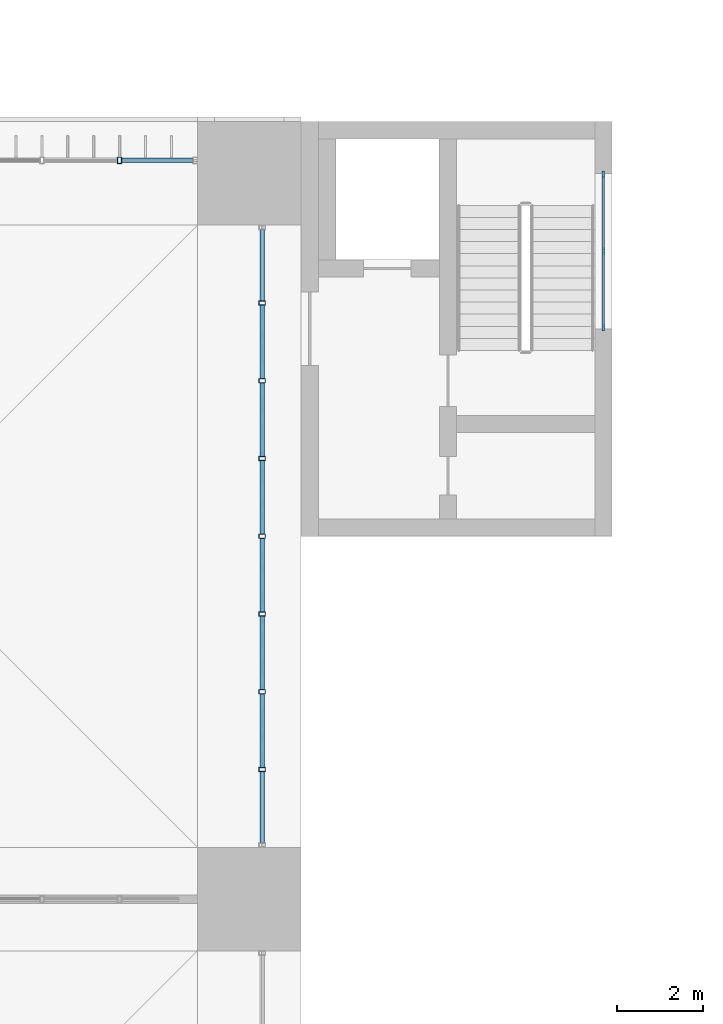
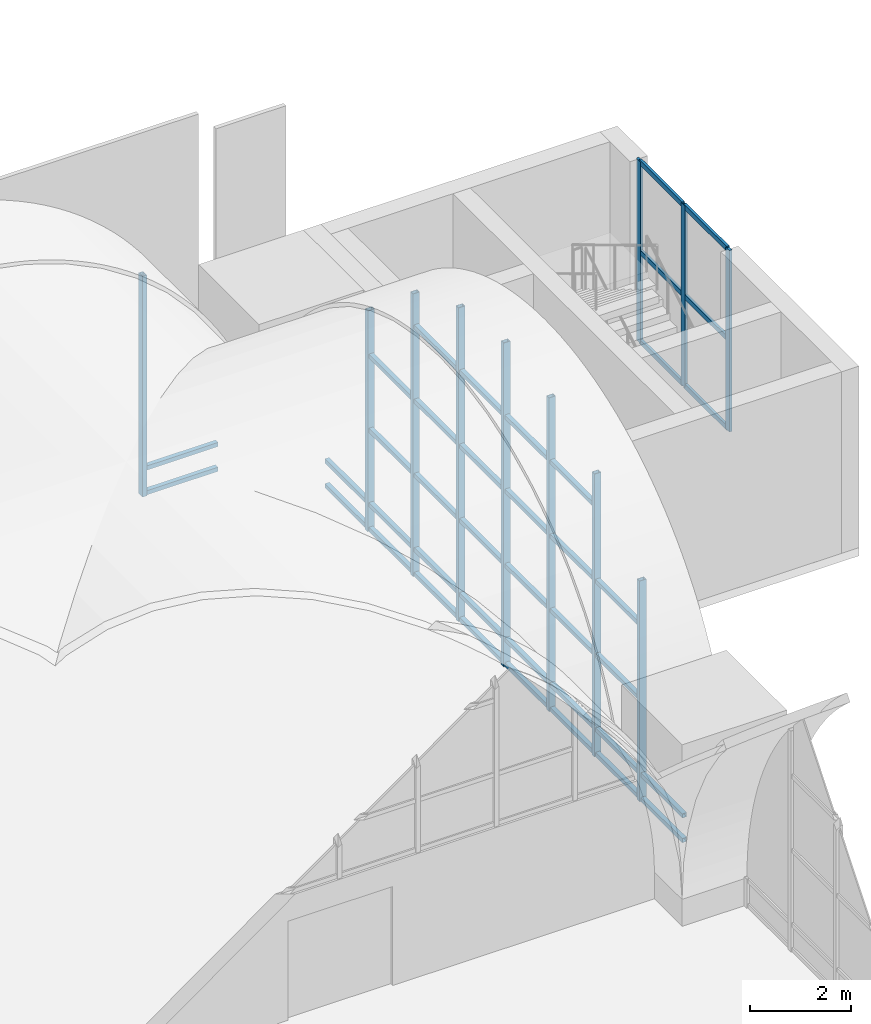
# One storey, part 56 of 169: 51 members, 3 elements without a shape of their own.
"""IFC4 building model written with IfcOpenShell, lengths in metres."""

from ifc_helpers import new_model, si_unit, direction, frame, origin, origin_2d, place, context, subcontext, project, spatial, rectangle, hollow_rectangle, extrude, material, layer, layer_set, material_profile, profile_set, type_object, element, aggregate, save


model = new_model("IFC4")

# Units and contexts
model_context = context("Model", 3, precision=1e-05, world=origin(), true_north=direction((0.0, 1.0)))
body_context = subcontext(model_context, "Body", "Model", "MODEL_VIEW")
ifc_project = project(units=[si_unit("LENGTHUNIT", "METRE"), si_unit("AREAUNIT", "SQUARE_METRE"), si_unit("VOLUMEUNIT", "CUBIC_METRE"), si_unit("PLANEANGLEUNIT", "RADIAN"), si_unit("MASSUNIT", "GRAM", prefix="KILO")], contexts=[model_context])

# Site, building, storey
site_placement = place(None, origin())
site = spatial("IfcSite", under=ifc_project, at=site_placement, CompositionType="ELEMENT")
building_placement = place(site_placement, origin())
building = spatial("IfcBuilding", under=site, at=building_placement, Name="Verrick Yard Athletic Hall", CompositionType="ELEMENT")
storey_placement = place(building_placement, frame((0.0, 0.0, 4.39990234375)))
storey = spatial("IfcBuildingStorey", under=building, at=storey_placement, Name="L01", CompositionType="ELEMENT", Elevation=4.39990234375)

# Curtain wall, members
ifc_material_1 = material(Name="Aluminium 6063-T5", Category="aluminium")
curtain_wall_type_1 = type_object("IfcCurtainWallType", Name="Core glazing strip", PredefinedType="NOTDEFINED", material=ifc_material_1)
curtain_wall_1_placement = place(storey_placement, origin())
curtain_wall_1 = element("IfcCurtainWall", 1, at=curtain_wall_1_placement, inside=storey, type_object=curtain_wall_type_1, Name="CORE-CB4-CW-L01", PredefinedType="NOTDEFINED")
ifc_material_profile_1 = material_profile(ifc_material_1, rectangle(XDim=0.06005859375, YDim=0.159912109375, at=origin_2d()), Name="Core glazing mullion 60x160")
ifc_profile_set_1 = profile_set([ifc_material_profile_1], Name="Aluminium 6063-T5")
member_type_1 = type_object("IfcMemberType", Name="Core glazing mullion 60x160", PredefinedType="MULLION", material=ifc_profile_set_1)
member_1_placement = place(storey_placement, frame((165.800048828125, 49.22998046875, 0.0), z_axis=(0.0, 0.0, 1.0), x_axis=(-1.0, 0.0, 0.0)))
member_1 = element("IfcMember", 2, at=member_1_placement, type_object=member_type_1, Name="CW5 mullion 1", PredefinedType="MULLION", context=body_context, shape_type="SweptSolid", body=[
    extrude(rectangle(XDim=0.06005859375, YDim=0.159912109375, at=origin_2d()), origin(), (0.0, 0.0, 1.0), 4.400146484375),
])
member_2_placement = place(storey_placement, frame((165.800048828125, 51.0, 0.0), z_axis=(0.0, 0.0, 1.0), x_axis=(-1.0, 0.0, 0.0)))
member_2 = element("IfcMember", 3, at=member_2_placement, type_object=member_type_1, Name="CW5 mullion 2", PredefinedType="MULLION", context=body_context, shape_type="SweptSolid", body=[
    extrude(rectangle(XDim=0.06005859375, YDim=0.159912109375, at=origin_2d()), origin(), (0.0, 0.0, 1.0), 4.400146484375),
])
member_3_placement = place(storey_placement, frame((165.800048828125, 52.77001953125, 0.0), z_axis=(0.0, 0.0, 1.0), x_axis=(-1.0, 0.0, 0.0)))
member_3 = element("IfcMember", 4, at=member_3_placement, type_object=member_type_1, Name="CW5 mullion 3", PredefinedType="MULLION", context=body_context, shape_type="SweptSolid", body=[
    extrude(rectangle(XDim=0.06005859375, YDim=0.159912109375, at=origin_2d()), origin(), (0.0, 0.0, 1.0), 4.400146484375),
])
ifc_material_profile_2 = material_profile(ifc_material_1, rectangle(XDim=0.06005859375, YDim=0.1201171875, at=origin_2d()), Name="Core glazing transom 60x120")
ifc_profile_set_2 = profile_set([ifc_material_profile_2], Name="Aluminium 6063-T5")
member_type_2 = type_object("IfcMemberType", Name="Core glazing transom 60x120", PredefinedType="USERDEFINED", material=ifc_profile_set_2)
member_4_placement = place(storey_placement, frame((165.800048828125, 49.260009765625, 0.030029296875), z_axis=(0.0, 1.0, 0.0), x_axis=(-1.0, 0.0, 0.0)))
member_4 = element("IfcMember", 5, at=member_4_placement, type_object=member_type_2, Name="CW5 transom 1.1", ObjectType="TRANSOM", PredefinedType="USERDEFINED", context=body_context, shape_type="SweptSolid", body=[
    extrude(rectangle(XDim=0.06005859375, YDim=0.1201171875, at=origin_2d()), origin(), (0.0, 0.0, 1.0), 1.7099609375),
])
member_5_placement = place(storey_placement, frame((165.800048828125, 49.260009765625, 2.2001953125), z_axis=(0.0, 1.0, 0.0), x_axis=(-1.0, 0.0, 0.0)))
member_5 = element("IfcMember", 6, at=member_5_placement, type_object=member_type_2, Name="CW5 transom 1.2", ObjectType="TRANSOM", PredefinedType="USERDEFINED", context=body_context, shape_type="SweptSolid", body=[
    extrude(rectangle(XDim=0.06005859375, YDim=0.1201171875, at=origin_2d()), origin(), (0.0, 0.0, 1.0), 1.7099609375),
])
member_6_placement = place(storey_placement, frame((165.800048828125, 49.260009765625, 4.3701171875), z_axis=(0.0, 1.0, 0.0), x_axis=(-1.0, 0.0, 0.0)))
member_6 = element("IfcMember", 7, at=member_6_placement, type_object=member_type_2, Name="CW5 transom 1.3", ObjectType="TRANSOM", PredefinedType="USERDEFINED", context=body_context, shape_type="SweptSolid", body=[
    extrude(rectangle(XDim=0.06005859375, YDim=0.1201171875, at=origin_2d()), origin(), (0.0, 0.0, 1.0), 1.7099609375),
])
member_7_placement = place(storey_placement, frame((165.800048828125, 51.030029296875, 0.030029296875), z_axis=(0.0, 1.0, 0.0), x_axis=(-1.0, 0.0, 0.0)))
member_7 = element("IfcMember", 8, at=member_7_placement, type_object=member_type_2, Name="CW5 transom 2.1", ObjectType="TRANSOM", PredefinedType="USERDEFINED", context=body_context, shape_type="SweptSolid", body=[
    extrude(rectangle(XDim=0.06005859375, YDim=0.1201171875, at=origin_2d()), origin(), (0.0, 0.0, 1.0), 1.7099609375),
])
member_8_placement = place(storey_placement, frame((165.800048828125, 51.030029296875, 2.2001953125), z_axis=(0.0, 1.0, 0.0), x_axis=(-1.0, 0.0, 0.0)))
member_8 = element("IfcMember", 9, at=member_8_placement, type_object=member_type_2, Name="CW5 transom 2.2", ObjectType="TRANSOM", PredefinedType="USERDEFINED", context=body_context, shape_type="SweptSolid", body=[
    extrude(rectangle(XDim=0.06005859375, YDim=0.1201171875, at=origin_2d()), origin(), (0.0, 0.0, 1.0), 1.7099609375),
])
member_9_placement = place(storey_placement, frame((165.800048828125, 51.030029296875, 4.3701171875), z_axis=(0.0, 1.0, 0.0), x_axis=(-1.0, 0.0, 0.0)))
member_9 = element("IfcMember", 10, at=member_9_placement, type_object=member_type_2, Name="CW5 transom 2.3", ObjectType="TRANSOM", PredefinedType="USERDEFINED", context=body_context, shape_type="SweptSolid", body=[
    extrude(rectangle(XDim=0.06005859375, YDim=0.1201171875, at=origin_2d()), origin(), (0.0, 0.0, 1.0), 1.7099609375),
])
aggregate(curtain_wall_1, [member_1, member_2, member_3, member_4, member_5, member_6, member_7, member_8, member_9])

# Curtain wall, member
ifc_material_2 = material(Name="Aluminium and glass curtain wall", Category="aluminium")
ifc_layer_1 = layer(ifc_material_2, 0.14990234375)
ifc_layer_set_1 = layer_set([ifc_layer_1], Name="Arcade glazing arch")
curtain_wall_type_2 = type_object("IfcCurtainWallType", Name="Arcade glazing arch", PredefinedType="NOTDEFINED", material=ifc_layer_set_1)
curtain_wall_2_placement = place(storey_placement, origin())
curtain_wall_2 = element("IfcCurtainWall", 11, at=curtain_wall_2_placement, inside=storey, type_object=curtain_wall_type_2, Name="Arcade glazing N7", PredefinedType="NOTDEFINED")
ifc_material_3 = material(Name="Structural steel HSS Class C 350W (CSA G40.20/G40.21)", Category="steel")
ifc_material_profile_3 = material_profile(ifc_material_3, hollow_rectangle(XDim=0.1015625, YDim=0.15234375, WallThickness=0.008056640625, at=origin_2d()), Name="HSS152x102x7.9")
ifc_profile_set_3 = profile_set([ifc_material_profile_3], Name="Structural steel HSS Class C 350W (CSA G40.20/G40.21)")
member_type_3 = type_object("IfcMemberType", Name="Curtain wall mullion HSS152x102x7.9", PredefinedType="MULLION", material=ifc_profile_set_3)
member_10_placement = place(storey_placement, frame((154.60009765625, 53.10009765625, 0.0), z_axis=(0.0, 0.0, 1.0), x_axis=(1.0, 0.0, 0.0)))
member_10 = element("IfcMember", 12, at=member_10_placement, type_object=member_type_3, Name="Arcade glazing N7 mullion 8", PredefinedType="MULLION", context=body_context, shape_type="SweptSolid", body=[
    extrude(hollow_rectangle(XDim=0.1015625, YDim=0.15234375, WallThickness=0.008056640625, at=origin_2d()), origin(), (0.0, 0.0, 1.0), 5.351806640625),
])

# Curtain wall, members
ifc_layer_2 = layer(ifc_material_2, 0.14990234375)
ifc_layer_set_2 = layer_set([ifc_layer_2], Name="East end glazing arch")
curtain_wall_type_3 = type_object("IfcCurtainWallType", Name="East end glazing arch", PredefinedType="NOTDEFINED", material=ifc_layer_set_2)
curtain_wall_3_placement = place(storey_placement, origin())
curtain_wall_3 = element("IfcCurtainWall", 13, at=curtain_wall_3_placement, inside=storey, type_object=curtain_wall_type_3, Name="East end glazing 2", PredefinedType="NOTDEFINED")
member_11_placement = place(storey_placement, frame((157.89990234375, 39.0, 0.0), z_axis=(0.0, 0.0, 1.0), x_axis=(0.0, 1.0, 0.0)))
member_11 = element("IfcMember", 14, at=member_11_placement, type_object=member_type_3, Name="East end glazing 2 mullion 2", PredefinedType="MULLION", context=body_context, shape_type="SweptSolid", body=[
    extrude(hollow_rectangle(XDim=0.1015625, YDim=0.15234375, WallThickness=0.008056640625, at=origin_2d()), origin(), (0.0, 0.0, 1.0), 5.351806640625),
])
member_12_placement = place(storey_placement, frame((157.89990234375, 40.800048828125, 0.0), z_axis=(0.0, 0.0, 1.0), x_axis=(0.0, 1.0, 0.0)))
member_12 = element("IfcMember", 15, at=member_12_placement, type_object=member_type_3, Name="East end glazing 2 mullion 3", PredefinedType="MULLION", context=body_context, shape_type="SweptSolid", body=[
    extrude(hollow_rectangle(XDim=0.1015625, YDim=0.15234375, WallThickness=0.008056640625, at=origin_2d()), origin(), (0.0, 0.0, 1.0), 6.8544921875),
])
member_13_placement = place(storey_placement, frame((157.89990234375, 42.60009765625, 0.0), z_axis=(0.0, 0.0, 1.0), x_axis=(0.0, 1.0, 0.0)))
member_13 = element("IfcMember", 16, at=member_13_placement, type_object=member_type_3, Name="East end glazing 2 mullion 4", PredefinedType="MULLION", context=body_context, shape_type="SweptSolid", body=[
    extrude(hollow_rectangle(XDim=0.1015625, YDim=0.15234375, WallThickness=0.008056640625, at=origin_2d()), origin(), (0.0, 0.0, 1.0), 7.607666015625),
])
member_14_placement = place(storey_placement, frame((157.89990234375, 44.39990234375, 0.0), z_axis=(0.0, 0.0, 1.0), x_axis=(0.0, 1.0, 0.0)))
member_14 = element("IfcMember", 17, at=member_14_placement, type_object=member_type_3, Name="East end glazing 2 mullion 5", PredefinedType="MULLION", context=body_context, shape_type="SweptSolid", body=[
    extrude(hollow_rectangle(XDim=0.1015625, YDim=0.15234375, WallThickness=0.008056640625, at=origin_2d()), origin(), (0.0, 0.0, 1.0), 7.8486328125),
])
member_15_placement = place(storey_placement, frame((157.89990234375, 46.199951171875, 0.0), z_axis=(0.0, 0.0, 1.0), x_axis=(0.0, 1.0, 0.0)))
member_15 = element("IfcMember", 18, at=member_15_placement, type_object=member_type_3, Name="East end glazing 2 mullion 6", PredefinedType="MULLION", context=body_context, shape_type="SweptSolid", body=[
    extrude(hollow_rectangle(XDim=0.1015625, YDim=0.15234375, WallThickness=0.008056640625, at=origin_2d()), origin(), (0.0, 0.0, 1.0), 7.607666015625),
])
member_16_placement = place(storey_placement, frame((157.89990234375, 48.0, 0.0), z_axis=(0.0, 0.0, 1.0), x_axis=(0.0, 1.0, 0.0)))
member_16 = element("IfcMember", 19, at=member_16_placement, type_object=member_type_3, Name="East end glazing 2 mullion 7", PredefinedType="MULLION", context=body_context, shape_type="SweptSolid", body=[
    extrude(hollow_rectangle(XDim=0.1015625, YDim=0.15234375, WallThickness=0.008056640625, at=origin_2d()), origin(), (0.0, 0.0, 1.0), 6.8544921875),
])
member_17_placement = place(storey_placement, frame((157.89990234375, 49.800048828125, 0.0), z_axis=(0.0, 0.0, 1.0), x_axis=(0.0, 1.0, 0.0)))
member_17 = element("IfcMember", 20, at=member_17_placement, type_object=member_type_3, Name="East end glazing 2 mullion 8", PredefinedType="MULLION", context=body_context, shape_type="SweptSolid", body=[
    extrude(hollow_rectangle(XDim=0.1015625, YDim=0.15234375, WallThickness=0.008056640625, at=origin_2d()), origin(), (0.0, 0.0, 1.0), 5.351806640625),
])

# Member
ifc_material_profile_4 = material_profile(ifc_material_3, hollow_rectangle(XDim=0.1015625, YDim=0.1015625, WallThickness=0.00634765625, at=origin_2d()), Name="HSS102x102x6.4")
ifc_profile_set_4 = profile_set([ifc_material_profile_4], Name="Structural steel HSS Class C 350W (CSA G40.20/G40.21)")
member_type_4 = type_object("IfcMemberType", Name="Curtain wall transom HSS102x102x6.4", PredefinedType="USERDEFINED", material=ifc_profile_set_4)
member_18_placement = place(storey_placement, frame((154.65087890625, 53.10009765625, 0.05078125), z_axis=(1.0, 0.0, 0.0), x_axis=(0.0, 1.0, 0.0)))
member_18 = element("IfcMember", 21, at=member_18_placement, type_object=member_type_4, Name="Arcade glazing N7 transom 31", ObjectType="TRANSOM", PredefinedType="USERDEFINED", context=body_context, shape_type="SweptSolid", body=[
    extrude(hollow_rectangle(XDim=0.1015625, YDim=0.1015625, WallThickness=0.00634765625, at=origin_2d()), origin(), (0.0, 0.0, 1.0), 1.64697265625),
])

member_19_placement = place(storey_placement, frame((154.65087890625, 53.10009765625, 0.650146484375), z_axis=(1.0, 0.0, 0.0), x_axis=(0.0, 1.0, 0.0)))
member_19 = element("IfcMember", 22, at=member_19_placement, type_object=member_type_4, Name="Arcade glazing N7 transom 32", ObjectType="TRANSOM", PredefinedType="USERDEFINED", context=body_context, shape_type="SweptSolid", body=[
    extrude(hollow_rectangle(XDim=0.1015625, YDim=0.1015625, WallThickness=0.00634765625, at=origin_2d()), origin(), (0.0, 0.0, 1.0), 1.64697265625),
])

aggregate(curtain_wall_2, [member_10, member_18, member_19])

member_20_placement = place(storey_placement, frame((157.89990234375, 37.302001953125, 0.05078125), z_axis=(0.0, 1.0, 0.0), x_axis=(-1.0, 0.0, 0.0)))
member_20 = element("IfcMember", 23, at=member_20_placement, type_object=member_type_4, Name="East end glazing 2 transom 1", ObjectType="TRANSOM", PredefinedType="USERDEFINED", context=body_context, shape_type="SweptSolid", body=[
    extrude(hollow_rectangle(XDim=0.1015625, YDim=0.1015625, WallThickness=0.00634765625, at=origin_2d()), origin(), (0.0, 0.0, 1.0), 1.647216796875),
])

member_21_placement = place(storey_placement, frame((157.89990234375, 37.302001953125, 0.650146484375), z_axis=(0.0, 1.0, 0.0), x_axis=(-1.0, 0.0, 0.0)))
member_21 = element("IfcMember", 24, at=member_21_placement, type_object=member_type_4, Name="East end glazing 2 transom 2", ObjectType="TRANSOM", PredefinedType="USERDEFINED", context=body_context, shape_type="SweptSolid", body=[
    extrude(hollow_rectangle(XDim=0.1015625, YDim=0.1015625, WallThickness=0.00634765625, at=origin_2d()), origin(), (0.0, 0.0, 1.0), 1.647216796875),
])

member_22_placement = place(storey_placement, frame((157.89990234375, 39.05078125, 0.05078125), z_axis=(0.0, 1.0, 0.0), x_axis=(-1.0, 0.0, 0.0)))
member_22 = element("IfcMember", 25, at=member_22_placement, type_object=member_type_4, Name="East end glazing 2 transom 3", ObjectType="TRANSOM", PredefinedType="USERDEFINED", context=body_context, shape_type="SweptSolid", body=[
    extrude(hollow_rectangle(XDim=0.1015625, YDim=0.1015625, WallThickness=0.00634765625, at=origin_2d()), origin(), (0.0, 0.0, 1.0), 1.698486328125),
])

member_23_placement = place(storey_placement, frame((157.89990234375, 39.05078125, 0.650146484375), z_axis=(0.0, 1.0, 0.0), x_axis=(-1.0, 0.0, 0.0)))
member_23 = element("IfcMember", 26, at=member_23_placement, type_object=member_type_4, Name="East end glazing 2 transom 4", ObjectType="TRANSOM", PredefinedType="USERDEFINED", context=body_context, shape_type="SweptSolid", body=[
    extrude(hollow_rectangle(XDim=0.1015625, YDim=0.1015625, WallThickness=0.00634765625, at=origin_2d()), origin(), (0.0, 0.0, 1.0), 1.698486328125),
])

member_24_placement = place(storey_placement, frame((157.89990234375, 39.05078125, 2.4501953125), z_axis=(0.0, 1.0, 0.0), x_axis=(-1.0, 0.0, 0.0)))
member_24 = element("IfcMember", 27, at=member_24_placement, type_object=member_type_4, Name="East end glazing 2 transom 5", ObjectType="TRANSOM", PredefinedType="USERDEFINED", context=body_context, shape_type="SweptSolid", body=[
    extrude(hollow_rectangle(XDim=0.1015625, YDim=0.1015625, WallThickness=0.00634765625, at=origin_2d()), origin(), (0.0, 0.0, 1.0), 1.698486328125),
])

member_25_placement = place(storey_placement, frame((157.89990234375, 39.05078125, 4.25), z_axis=(0.0, 1.0, 0.0), x_axis=(-1.0, 0.0, 0.0)))
member_25 = element("IfcMember", 28, at=member_25_placement, type_object=member_type_4, Name="East end glazing 2 transom 6", ObjectType="TRANSOM", PredefinedType="USERDEFINED", context=body_context, shape_type="SweptSolid", body=[
    extrude(hollow_rectangle(XDim=0.1015625, YDim=0.1015625, WallThickness=0.00634765625, at=origin_2d()), origin(), (0.0, 0.0, 1.0), 1.698486328125),
])

member_26_placement = place(storey_placement, frame((157.89990234375, 40.850830078125, 0.05078125), z_axis=(0.0, 1.0, 0.0), x_axis=(-1.0, 0.0, 0.0)))
member_26 = element("IfcMember", 29, at=member_26_placement, type_object=member_type_4, Name="East end glazing 2 transom 7", ObjectType="TRANSOM", PredefinedType="USERDEFINED", context=body_context, shape_type="SweptSolid", body=[
    extrude(hollow_rectangle(XDim=0.1015625, YDim=0.1015625, WallThickness=0.00634765625, at=origin_2d()), origin(), (0.0, 0.0, 1.0), 1.698486328125),
])

member_27_placement = place(storey_placement, frame((157.89990234375, 40.850830078125, 0.650146484375), z_axis=(0.0, 1.0, 0.0), x_axis=(-1.0, 0.0, 0.0)))
member_27 = element("IfcMember", 30, at=member_27_placement, type_object=member_type_4, Name="East end glazing 2 transom 8", ObjectType="TRANSOM", PredefinedType="USERDEFINED", context=body_context, shape_type="SweptSolid", body=[
    extrude(hollow_rectangle(XDim=0.1015625, YDim=0.1015625, WallThickness=0.00634765625, at=origin_2d()), origin(), (0.0, 0.0, 1.0), 1.698486328125),
])

member_28_placement = place(storey_placement, frame((157.89990234375, 40.850830078125, 2.4501953125), z_axis=(0.0, 1.0, 0.0), x_axis=(-1.0, 0.0, 0.0)))
member_28 = element("IfcMember", 31, at=member_28_placement, type_object=member_type_4, Name="East end glazing 2 transom 9", ObjectType="TRANSOM", PredefinedType="USERDEFINED", context=body_context, shape_type="SweptSolid", body=[
    extrude(hollow_rectangle(XDim=0.1015625, YDim=0.1015625, WallThickness=0.00634765625, at=origin_2d()), origin(), (0.0, 0.0, 1.0), 1.698486328125),
])

member_29_placement = place(storey_placement, frame((157.89990234375, 40.850830078125, 4.25), z_axis=(0.0, 1.0, 0.0), x_axis=(-1.0, 0.0, 0.0)))
member_29 = element("IfcMember", 32, at=member_29_placement, type_object=member_type_4, Name="East end glazing 2 transom 10", ObjectType="TRANSOM", PredefinedType="USERDEFINED", context=body_context, shape_type="SweptSolid", body=[
    extrude(hollow_rectangle(XDim=0.1015625, YDim=0.1015625, WallThickness=0.00634765625, at=origin_2d()), origin(), (0.0, 0.0, 1.0), 1.698486328125),
])

member_30_placement = place(storey_placement, frame((157.89990234375, 40.850830078125, 6.050048828125), z_axis=(0.0, 1.0, 0.0), x_axis=(-1.0, 0.0, 0.0)))
member_30 = element("IfcMember", 33, at=member_30_placement, type_object=member_type_4, Name="East end glazing 2 transom 11", ObjectType="TRANSOM", PredefinedType="USERDEFINED", context=body_context, shape_type="SweptSolid", body=[
    extrude(hollow_rectangle(XDim=0.1015625, YDim=0.1015625, WallThickness=0.00634765625, at=origin_2d()), origin(), (0.0, 0.0, 1.0), 1.698486328125),
])

member_31_placement = place(storey_placement, frame((157.89990234375, 42.65087890625, 0.05078125), z_axis=(0.0, 1.0, 0.0), x_axis=(-1.0, 0.0, 0.0)))
member_31 = element("IfcMember", 34, at=member_31_placement, type_object=member_type_4, Name="East end glazing 2 transom 12", ObjectType="TRANSOM", PredefinedType="USERDEFINED", context=body_context, shape_type="SweptSolid", body=[
    extrude(hollow_rectangle(XDim=0.1015625, YDim=0.1015625, WallThickness=0.00634765625, at=origin_2d()), origin(), (0.0, 0.0, 1.0), 1.6982421875),
])

member_32_placement = place(storey_placement, frame((157.89990234375, 42.65087890625, 0.650146484375), z_axis=(0.0, 1.0, 0.0), x_axis=(-1.0, 0.0, 0.0)))
member_32 = element("IfcMember", 35, at=member_32_placement, type_object=member_type_4, Name="East end glazing 2 transom 13", ObjectType="TRANSOM", PredefinedType="USERDEFINED", context=body_context, shape_type="SweptSolid", body=[
    extrude(hollow_rectangle(XDim=0.1015625, YDim=0.1015625, WallThickness=0.00634765625, at=origin_2d()), origin(), (0.0, 0.0, 1.0), 1.6982421875),
])

member_33_placement = place(storey_placement, frame((157.89990234375, 42.65087890625, 2.4501953125), z_axis=(0.0, 1.0, 0.0), x_axis=(-1.0, 0.0, 0.0)))
member_33 = element("IfcMember", 36, at=member_33_placement, type_object=member_type_4, Name="East end glazing 2 transom 14", ObjectType="TRANSOM", PredefinedType="USERDEFINED", context=body_context, shape_type="SweptSolid", body=[
    extrude(hollow_rectangle(XDim=0.1015625, YDim=0.1015625, WallThickness=0.00634765625, at=origin_2d()), origin(), (0.0, 0.0, 1.0), 1.6982421875),
])

member_34_placement = place(storey_placement, frame((157.89990234375, 42.65087890625, 4.25), z_axis=(0.0, 1.0, 0.0), x_axis=(-1.0, 0.0, 0.0)))
member_34 = element("IfcMember", 37, at=member_34_placement, type_object=member_type_4, Name="East end glazing 2 transom 15", ObjectType="TRANSOM", PredefinedType="USERDEFINED", context=body_context, shape_type="SweptSolid", body=[
    extrude(hollow_rectangle(XDim=0.1015625, YDim=0.1015625, WallThickness=0.00634765625, at=origin_2d()), origin(), (0.0, 0.0, 1.0), 1.6982421875),
])

member_35_placement = place(storey_placement, frame((157.89990234375, 42.65087890625, 6.050048828125), z_axis=(0.0, 1.0, 0.0), x_axis=(-1.0, 0.0, 0.0)))
member_35 = element("IfcMember", 38, at=member_35_placement, type_object=member_type_4, Name="East end glazing 2 transom 16", ObjectType="TRANSOM", PredefinedType="USERDEFINED", context=body_context, shape_type="SweptSolid", body=[
    extrude(hollow_rectangle(XDim=0.1015625, YDim=0.1015625, WallThickness=0.00634765625, at=origin_2d()), origin(), (0.0, 0.0, 1.0), 1.6982421875),
])

member_36_placement = place(storey_placement, frame((157.89990234375, 44.45068359375, 0.05078125), z_axis=(0.0, 1.0, 0.0), x_axis=(-1.0, 0.0, 0.0)))
member_36 = element("IfcMember", 39, at=member_36_placement, type_object=member_type_4, Name="East end glazing 2 transom 17", ObjectType="TRANSOM", PredefinedType="USERDEFINED", context=body_context, shape_type="SweptSolid", body=[
    extrude(hollow_rectangle(XDim=0.1015625, YDim=0.1015625, WallThickness=0.00634765625, at=origin_2d()), origin(), (0.0, 0.0, 1.0), 1.698486328125),
])

member_37_placement = place(storey_placement, frame((157.89990234375, 44.45068359375, 0.650146484375), z_axis=(0.0, 1.0, 0.0), x_axis=(-1.0, 0.0, 0.0)))
member_37 = element("IfcMember", 40, at=member_37_placement, type_object=member_type_4, Name="East end glazing 2 transom 18", ObjectType="TRANSOM", PredefinedType="USERDEFINED", context=body_context, shape_type="SweptSolid", body=[
    extrude(hollow_rectangle(XDim=0.1015625, YDim=0.1015625, WallThickness=0.00634765625, at=origin_2d()), origin(), (0.0, 0.0, 1.0), 1.698486328125),
])

member_38_placement = place(storey_placement, frame((157.89990234375, 44.45068359375, 2.4501953125), z_axis=(0.0, 1.0, 0.0), x_axis=(-1.0, 0.0, 0.0)))
member_38 = element("IfcMember", 41, at=member_38_placement, type_object=member_type_4, Name="East end glazing 2 transom 19", ObjectType="TRANSOM", PredefinedType="USERDEFINED", context=body_context, shape_type="SweptSolid", body=[
    extrude(hollow_rectangle(XDim=0.1015625, YDim=0.1015625, WallThickness=0.00634765625, at=origin_2d()), origin(), (0.0, 0.0, 1.0), 1.698486328125),
])

member_39_placement = place(storey_placement, frame((157.89990234375, 44.45068359375, 4.25), z_axis=(0.0, 1.0, 0.0), x_axis=(-1.0, 0.0, 0.0)))
member_39 = element("IfcMember", 42, at=member_39_placement, type_object=member_type_4, Name="East end glazing 2 transom 20", ObjectType="TRANSOM", PredefinedType="USERDEFINED", context=body_context, shape_type="SweptSolid", body=[
    extrude(hollow_rectangle(XDim=0.1015625, YDim=0.1015625, WallThickness=0.00634765625, at=origin_2d()), origin(), (0.0, 0.0, 1.0), 1.698486328125),
])

member_40_placement = place(storey_placement, frame((157.89990234375, 44.45068359375, 6.050048828125), z_axis=(0.0, 1.0, 0.0), x_axis=(-1.0, 0.0, 0.0)))
member_40 = element("IfcMember", 43, at=member_40_placement, type_object=member_type_4, Name="East end glazing 2 transom 21", ObjectType="TRANSOM", PredefinedType="USERDEFINED", context=body_context, shape_type="SweptSolid", body=[
    extrude(hollow_rectangle(XDim=0.1015625, YDim=0.1015625, WallThickness=0.00634765625, at=origin_2d()), origin(), (0.0, 0.0, 1.0), 1.698486328125),
])

member_41_placement = place(storey_placement, frame((157.89990234375, 46.250732421875, 0.05078125), z_axis=(0.0, 1.0, 0.0), x_axis=(-1.0, 0.0, 0.0)))
member_41 = element("IfcMember", 44, at=member_41_placement, type_object=member_type_4, Name="East end glazing 2 transom 22", ObjectType="TRANSOM", PredefinedType="USERDEFINED", context=body_context, shape_type="SweptSolid", body=[
    extrude(hollow_rectangle(XDim=0.1015625, YDim=0.1015625, WallThickness=0.00634765625, at=origin_2d()), origin(), (0.0, 0.0, 1.0), 1.698486328125),
])

member_42_placement = place(storey_placement, frame((157.89990234375, 46.250732421875, 0.650146484375), z_axis=(0.0, 1.0, 0.0), x_axis=(-1.0, 0.0, 0.0)))
member_42 = element("IfcMember", 45, at=member_42_placement, type_object=member_type_4, Name="East end glazing 2 transom 23", ObjectType="TRANSOM", PredefinedType="USERDEFINED", context=body_context, shape_type="SweptSolid", body=[
    extrude(hollow_rectangle(XDim=0.1015625, YDim=0.1015625, WallThickness=0.00634765625, at=origin_2d()), origin(), (0.0, 0.0, 1.0), 1.698486328125),
])

member_43_placement = place(storey_placement, frame((157.89990234375, 46.250732421875, 2.4501953125), z_axis=(0.0, 1.0, 0.0), x_axis=(-1.0, 0.0, 0.0)))
member_43 = element("IfcMember", 46, at=member_43_placement, type_object=member_type_4, Name="East end glazing 2 transom 24", ObjectType="TRANSOM", PredefinedType="USERDEFINED", context=body_context, shape_type="SweptSolid", body=[
    extrude(hollow_rectangle(XDim=0.1015625, YDim=0.1015625, WallThickness=0.00634765625, at=origin_2d()), origin(), (0.0, 0.0, 1.0), 1.698486328125),
])

member_44_placement = place(storey_placement, frame((157.89990234375, 46.250732421875, 4.25), z_axis=(0.0, 1.0, 0.0), x_axis=(-1.0, 0.0, 0.0)))
member_44 = element("IfcMember", 47, at=member_44_placement, type_object=member_type_4, Name="East end glazing 2 transom 25", ObjectType="TRANSOM", PredefinedType="USERDEFINED", context=body_context, shape_type="SweptSolid", body=[
    extrude(hollow_rectangle(XDim=0.1015625, YDim=0.1015625, WallThickness=0.00634765625, at=origin_2d()), origin(), (0.0, 0.0, 1.0), 1.698486328125),
])

member_45_placement = place(storey_placement, frame((157.89990234375, 46.250732421875, 6.050048828125), z_axis=(0.0, 1.0, 0.0), x_axis=(-1.0, 0.0, 0.0)))
member_45 = element("IfcMember", 48, at=member_45_placement, type_object=member_type_4, Name="East end glazing 2 transom 26", ObjectType="TRANSOM", PredefinedType="USERDEFINED", context=body_context, shape_type="SweptSolid", body=[
    extrude(hollow_rectangle(XDim=0.1015625, YDim=0.1015625, WallThickness=0.00634765625, at=origin_2d()), origin(), (0.0, 0.0, 1.0), 1.698486328125),
])

member_46_placement = place(storey_placement, frame((157.89990234375, 48.05078125, 0.05078125), z_axis=(0.0, 1.0, 0.0), x_axis=(-1.0, 0.0, 0.0)))
member_46 = element("IfcMember", 49, at=member_46_placement, type_object=member_type_4, Name="East end glazing 2 transom 27", ObjectType="TRANSOM", PredefinedType="USERDEFINED", context=body_context, shape_type="SweptSolid", body=[
    extrude(hollow_rectangle(XDim=0.1015625, YDim=0.1015625, WallThickness=0.00634765625, at=origin_2d()), origin(), (0.0, 0.0, 1.0), 1.698486328125),
])

member_47_placement = place(storey_placement, frame((157.89990234375, 48.05078125, 0.650146484375), z_axis=(0.0, 1.0, 0.0), x_axis=(-1.0, 0.0, 0.0)))
member_47 = element("IfcMember", 50, at=member_47_placement, type_object=member_type_4, Name="East end glazing 2 transom 28", ObjectType="TRANSOM", PredefinedType="USERDEFINED", context=body_context, shape_type="SweptSolid", body=[
    extrude(hollow_rectangle(XDim=0.1015625, YDim=0.1015625, WallThickness=0.00634765625, at=origin_2d()), origin(), (0.0, 0.0, 1.0), 1.698486328125),
])

member_48_placement = place(storey_placement, frame((157.89990234375, 48.05078125, 2.4501953125), z_axis=(0.0, 1.0, 0.0), x_axis=(-1.0, 0.0, 0.0)))
member_48 = element("IfcMember", 51, at=member_48_placement, type_object=member_type_4, Name="East end glazing 2 transom 29", ObjectType="TRANSOM", PredefinedType="USERDEFINED", context=body_context, shape_type="SweptSolid", body=[
    extrude(hollow_rectangle(XDim=0.1015625, YDim=0.1015625, WallThickness=0.00634765625, at=origin_2d()), origin(), (0.0, 0.0, 1.0), 1.698486328125),
])

member_49_placement = place(storey_placement, frame((157.89990234375, 48.05078125, 4.25), z_axis=(0.0, 1.0, 0.0), x_axis=(-1.0, 0.0, 0.0)))
member_49 = element("IfcMember", 52, at=member_49_placement, type_object=member_type_4, Name="East end glazing 2 transom 30", ObjectType="TRANSOM", PredefinedType="USERDEFINED", context=body_context, shape_type="SweptSolid", body=[
    extrude(hollow_rectangle(XDim=0.1015625, YDim=0.1015625, WallThickness=0.00634765625, at=origin_2d()), origin(), (0.0, 0.0, 1.0), 1.698486328125),
])

member_50_placement = place(storey_placement, frame((157.89990234375, 49.850830078125, 0.05078125), z_axis=(0.0, 1.0, 0.0), x_axis=(-1.0, 0.0, 0.0)))
member_50 = element("IfcMember", 53, at=member_50_placement, type_object=member_type_4, Name="East end glazing 2 transom 31", ObjectType="TRANSOM", PredefinedType="USERDEFINED", context=body_context, shape_type="SweptSolid", body=[
    extrude(hollow_rectangle(XDim=0.1015625, YDim=0.1015625, WallThickness=0.00634765625, at=origin_2d()), origin(), (0.0, 0.0, 1.0), 1.64697265625),
])

member_51_placement = place(storey_placement, frame((157.89990234375, 49.850830078125, 0.650146484375), z_axis=(0.0, 1.0, 0.0), x_axis=(-1.0, 0.0, 0.0)))
member_51 = element("IfcMember", 54, at=member_51_placement, type_object=member_type_4, Name="East end glazing 2 transom 32", ObjectType="TRANSOM", PredefinedType="USERDEFINED", context=body_context, shape_type="SweptSolid", body=[
    extrude(hollow_rectangle(XDim=0.1015625, YDim=0.1015625, WallThickness=0.00634765625, at=origin_2d()), origin(), (0.0, 0.0, 1.0), 1.64697265625),
])

aggregate(curtain_wall_3, [member_11, member_12, member_13, member_14, member_15, member_16, member_17, member_20, member_21, member_22, member_23, member_24, member_25, member_26, member_27, member_28, member_29, member_30, member_31, member_32, member_33, member_34, member_35, member_36, member_37, member_38, member_39, member_40, member_41, member_42, member_43, member_44, member_45, member_46, member_47, member_48, member_49, member_50, member_51])

save(model, "model.ifc")
